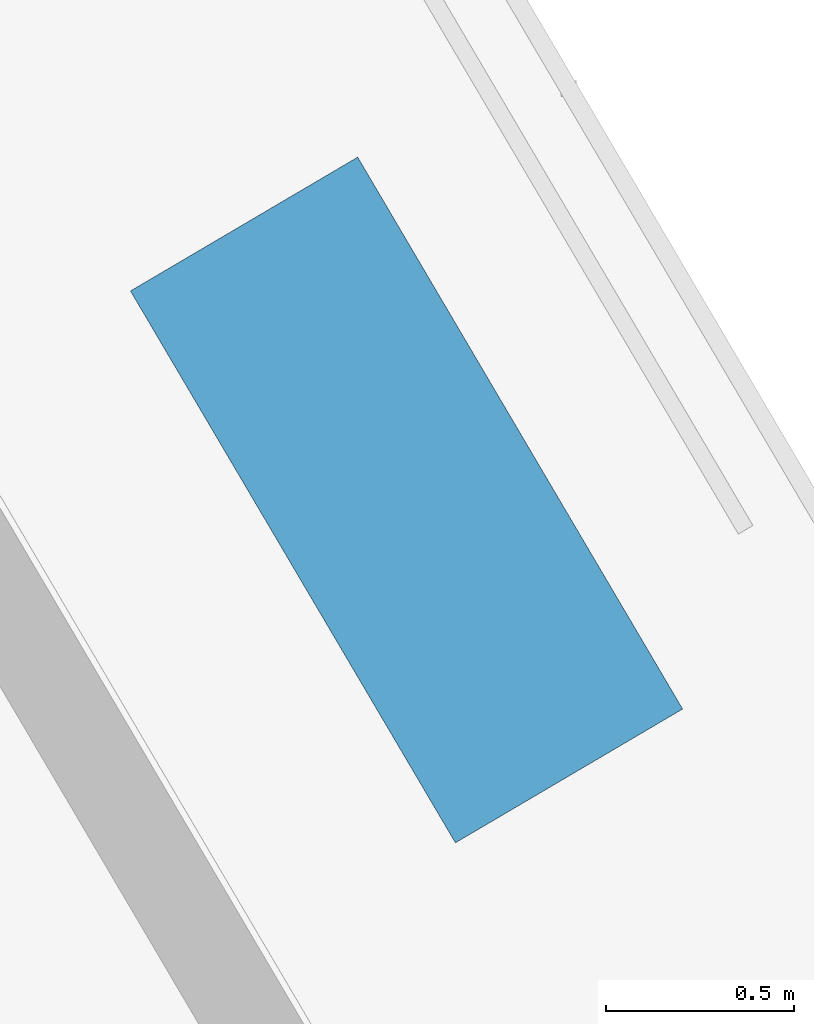
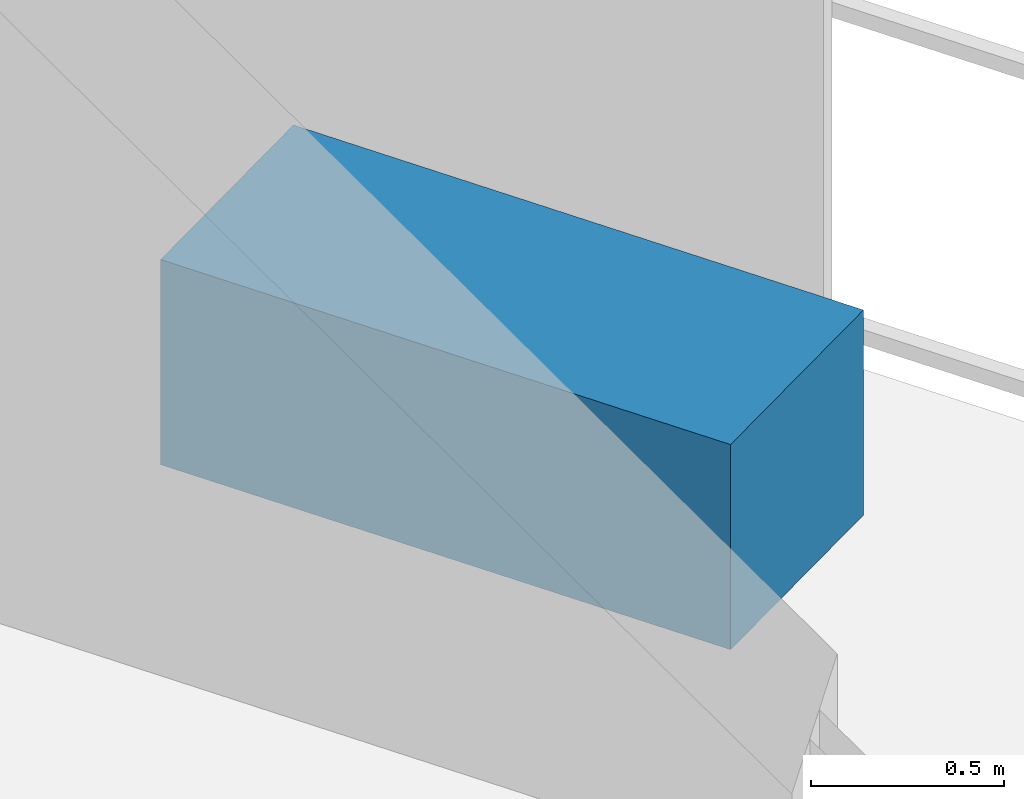
# One storey, part 27 of 31: 1 discrete accessory.
"""IFC4 building model written with IfcOpenShell, lengths in metres."""

from ifc_helpers import new_model, si_unit, direction, frame, origin, origin_2d, place, context, subcontext, project, spatial, rectangle, extrude, material, type_object, element, save


model = new_model("IFC4")

# Units and contexts
model_context = context("Model", 3, precision=1e-05, world=origin(), true_north=direction((0.0, 1.0)))
body_context = subcontext(model_context, "Body", "Model", "MODEL_VIEW")
ifc_project = project(units=[si_unit("LENGTHUNIT", "METRE"), si_unit("AREAUNIT", "SQUARE_METRE"), si_unit("VOLUMEUNIT", "CUBIC_METRE"), si_unit("PLANEANGLEUNIT", "RADIAN"), si_unit("MASSUNIT", "GRAM", prefix="KILO")], contexts=[model_context])

# Site, building, storey
site_placement = place(None, origin())
site = spatial("IfcSite", under=ifc_project, at=site_placement, CompositionType="ELEMENT")
building_placement = place(site_placement, origin())
building = spatial("IfcBuilding", under=site, at=building_placement, Name="Qarnah Convention Tower", CompositionType="ELEMENT")
storey_placement = place(building_placement, frame((0.0, 0.0, 68.39990234375)))
storey = spatial("IfcBuildingStorey", under=building, at=storey_placement, Name="L17", CompositionType="ELEMENT", Elevation=68.39990234375)

# Discrete accessory
ifc_material = material(Name="Precast concrete C45/55", Category="concrete")
discrete_accessory_type = type_object("IfcDiscreteAccessoryType", Name="ACC-PLANTER-900", PredefinedType="USERDEFINED", material=ifc_material)
discrete_accessory_placement = place(storey_placement, frame((60.280029296875, 39.833984375, 0.000244140625), z_axis=(0.0, 0.0, 1.0), x_axis=(-0.507387972573, 0.861717729473, 0.0)))
element("IfcDiscreteAccessory", 1, at=discrete_accessory_placement, inside=storey, type_object=discrete_accessory_type, Name="L17 irrigated desert balcony PLANTER BAL-L17-C1", ObjectType="PLANTER", PredefinedType="USERDEFINED", context=body_context, shape_type="SweptSolid", body=[
    extrude(rectangle(XDim=1.699951171875, YDim=0.699951171875, at=origin_2d()), origin(), (0.0, 0.0, 1.0), 0.64990234375),
])

save(model, "model.ifc")
